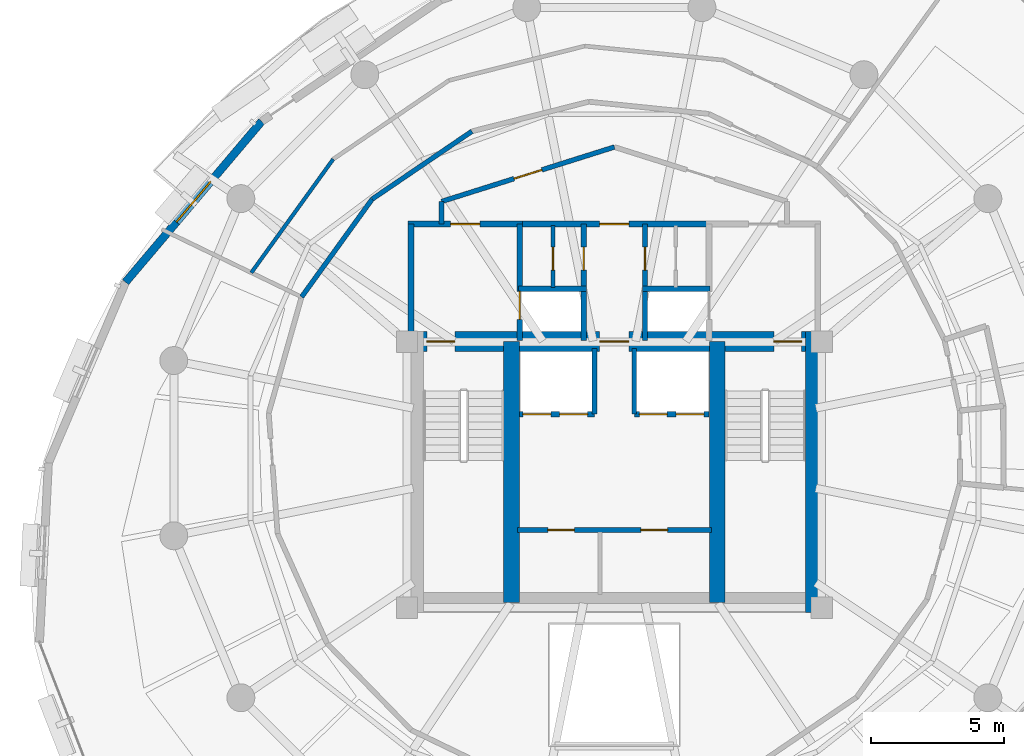
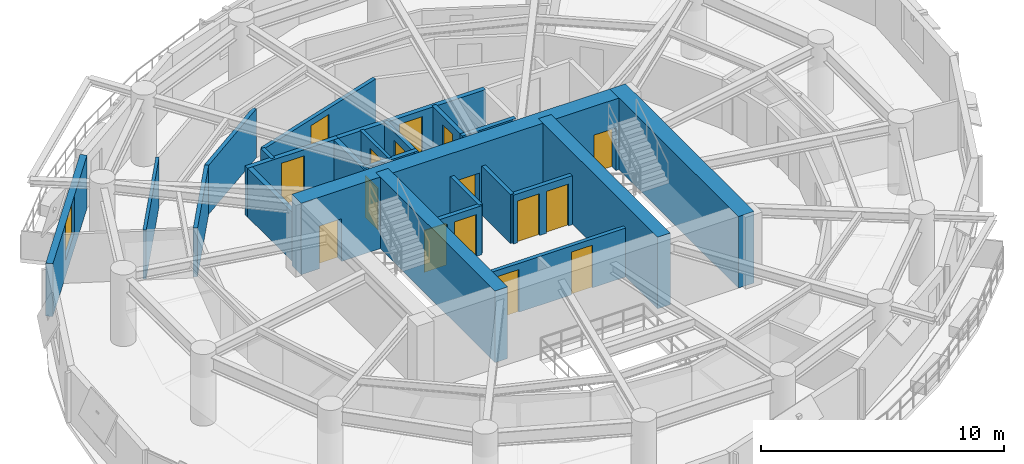
# One storey, part 8 of 12: 24 walls, 16 doors, 1 window, 17 openings.
"""IFC4 building model written with IfcOpenShell, lengths in metres."""

from ifc_helpers import new_model, si_unit, direction, frame, frame_2d, origin, place, context, subcontext, project, spatial, rectangle, extrude, material, layer, layer_set, type_object, element, fill, save


model = new_model("IFC4")

# Units and contexts
model_context = context("Model", 3, precision=1e-05, world=origin(), true_north=direction((0.0, 1.0)))
body_context = subcontext(model_context, "Body", "Model", "MODEL_VIEW")
ifc_project = project(units=[si_unit("LENGTHUNIT", "METRE"), si_unit("AREAUNIT", "SQUARE_METRE"), si_unit("VOLUMEUNIT", "CUBIC_METRE"), si_unit("PLANEANGLEUNIT", "RADIAN"), si_unit("MASSUNIT", "GRAM", prefix="KILO"), si_unit("THERMODYNAMICTEMPERATUREUNIT", "KELVIN"), si_unit("POWERUNIT", "WATT")], contexts=[model_context])

# Site, building, storey
site_placement = place(None, origin())
site = spatial("IfcSite", under=ifc_project, at=site_placement, CompositionType="ELEMENT")
building_placement = place(site_placement, origin())
building = spatial("IfcBuilding", under=site, at=building_placement, Name="Ocrelia Relay Tower", CompositionType="ELEMENT")
storey_placement = place(building_placement, frame((0.0, 0.0, 177.199951171875)))
storey = spatial("IfcBuildingStorey", under=building, at=storey_placement, Name="L42", CompositionType="ELEMENT", Elevation=177.199951171875)

# Wall, openings, doors
ifc_material_1 = material(Name="Concrete C60/75", Category="concrete")
ifc_layer_1 = layer(ifc_material_1, 0.75, Name="Concrete C60/75")
ifc_layer_set_1 = layer_set([ifc_layer_1], Name="Concrete C60/75")
wall_type_1 = type_object("IfcWallType", Name="CW-CORE-750", PredefinedType="SHEAR", material=ifc_layer_set_1)
wall_1_placement = place(storey_placement, frame((26.072021484375, 30.012939453125, 0.0), z_axis=(0.0, 0.0, 1.0), x_axis=(1.0, 0.0, 0.0)))
wall_1 = element("IfcWall", 1, at=wall_1_placement, inside=storey, type_object=wall_type_1, Name="L42 Core Shear Wall N", PredefinedType="SHEAR", context=body_context, shape_type="SweptSolid", body=[
    extrude(rectangle(XDim=15.865966796875, YDim=0.75, at=frame_2d((7.93310546875, 0.0))), origin(), (0.0, 0.0, 1.0), 3.60009765625),
])
opening_1_placement = place(wall_1_placement, frame((0.8779296875, 0.0, 0.0)))
opening_1 = element("IfcOpeningElement", 2, at=opening_1_placement, cuts=wall_1, Name="Opening D-FD90", PredefinedType="OPENING", context=body_context, shape_type="SweptSolid", body=[
    extrude(rectangle(XDim=1.050048828125, YDim=2.14990234375, at=frame_2d((0.52490234375, 1.074951171875))), frame((0.0, 0.385009765625, 0.0), z_axis=(0.0, -1.0, 0.0), x_axis=(1.0, 0.0, 0.0)), (0.0, 0.0, 1.0), 0.77001953125),
])
opening_2_placement = place(wall_1_placement, frame((13.927978515625, 0.0, 0.0)))
opening_2 = element("IfcOpeningElement", 3, at=opening_2_placement, cuts=wall_1, Name="Opening D-FD90", PredefinedType="OPENING", context=body_context, shape_type="SweptSolid", body=[
    extrude(rectangle(XDim=1.050048828125, YDim=2.14990234375, at=frame_2d((0.52490234375, 1.074951171875))), frame((0.0, 0.385009765625, 0.0), z_axis=(0.0, -1.0, 0.0), x_axis=(1.0, 0.0, 0.0)), (0.0, 0.0, 1.0), 0.77001953125),
])
opening_3_placement = place(wall_1_placement, frame((7.3779296875, 0.0, 0.0)))
opening_3 = element("IfcOpeningElement", 4, at=opening_3_placement, cuts=wall_1, Name="Opening D-FD60", PredefinedType="OPENING", context=body_context, shape_type="SweptSolid", body=[
    extrude(rectangle(XDim=1.10009765625, YDim=2.14990234375, at=frame_2d((0.550048828125, 1.074951171875))), frame((0.0, 0.385009765625, 0.0), z_axis=(0.0, -1.0, 0.0), x_axis=(1.0, 0.0, 0.0)), (0.0, 0.0, 1.0), 0.77001953125),
])
ifc_material_2 = material(Name="Timber-core 60-min acoustic fire door", Category="wood")
door_type_1 = type_object("IfcDoorType", Name="DR-LOBBY-FD60-1100", OperationType="NOTDEFINED", PredefinedType="DOOR", material=ifc_material_2)
door_1_placement = place(opening_3_placement, origin())
door_1 = element("IfcDoor", 5, at=door_1_placement, inside=storey, type_object=door_type_1, Name="L42 Core Lift Lobby North Fire Door", OperationType="SINGLE_SWING_LEFT", OverallHeight=2.14990234375, OverallWidth=1.10009765625, PredefinedType="DOOR", context=body_context, shape_type="SweptSolid", body=[
    extrude(rectangle(XDim=1.10009765625, YDim=2.14990234375, at=frame_2d((0.550048828125, 1.074951171875))), frame((0.0, 0.02490234375, 0.0), z_axis=(0.0, -1.0, 0.0), x_axis=(1.0, 0.0, 0.0)), (0.0, 0.0, 1.0), 0.050048828125),
])
fill(opening_3, door_1)
ifc_material_3 = material(Name="Steel S355 90-min fire door", Category="steel")
door_type_2 = type_object("IfcDoorType", Name="DR-STAIR-FD90-1050", OperationType="NOTDEFINED", PredefinedType="DOOR", material=ifc_material_3)
door_2_placement = place(opening_1_placement, origin())
door_2 = element("IfcDoor", 6, at=door_2_placement, inside=storey, type_object=door_type_2, Name="L42 Stair ST1 Fire Door", OperationType="SINGLE_SWING_LEFT", OverallHeight=2.14990234375, OverallWidth=1.050048828125, PredefinedType="DOOR", context=body_context, shape_type="SweptSolid", body=[
    extrude(rectangle(XDim=1.050048828125, YDim=2.14990234375, at=frame_2d((0.52490234375, 1.074951171875))), frame((0.0, 0.02490234375, 0.0), z_axis=(0.0, -1.0, 0.0), x_axis=(1.0, 0.0, 0.0)), (0.0, 0.0, 1.0), 0.050048828125),
])
fill(opening_1, door_2)
door_3_placement = place(opening_2_placement, origin())
door_3 = element("IfcDoor", 7, at=door_3_placement, inside=storey, type_object=door_type_2, Name="L42 Stair ST2 Fire Door", OperationType="SINGLE_SWING_RIGHT", OverallHeight=2.14990234375, OverallWidth=1.050048828125, PredefinedType="DOOR", context=body_context, shape_type="SweptSolid", body=[
    extrude(rectangle(XDim=1.050048828125, YDim=2.14990234375, at=frame_2d((0.52490234375, 1.074951171875))), frame((0.0, 0.02490234375, 0.0), z_axis=(0.0, -1.0, 0.0), x_axis=(1.0, 0.0, 0.0)), (0.0, 0.0, 1.0), 0.050048828125),
])
fill(opening_2, door_3)

# Walls
wall_2_placement = place(storey_placement, frame((41.56298828125, 19.81201171875, 0.0), z_axis=(0.0, 0.0, 1.0), x_axis=(0.0, 1.0, 0.0)))
element("IfcWall", 8, at=wall_2_placement, inside=storey, type_object=wall_type_1, Name="L42 Core Shear Wall E", PredefinedType="SHEAR", context=body_context, shape_type="SweptSolid", body=[
    extrude(rectangle(XDim=10.575927734375, YDim=0.75, at=frame_2d((5.2880859375, 0.0))), origin(), (0.0, 0.0, 1.0), 3.60009765625),
])
for number, where, z_axis, x_axis, name in (
    (9, (30.137939453125, 20.18701171875, 0.0), (0.0, 0.0, 1.0), (0.0, 1.0, 0.0), "L42 Core Shear Wall SPW"),
    (10, (37.8720703125, 20.18701171875, 0.0), (0.0, 0.0, 1.0), (0.0, 1.0, 0.0), "L42 Core Shear Wall SPE"),
):
    element("IfcWall", number, at=place(storey_placement, frame(where, z_axis=z_axis, x_axis=x_axis)), inside=storey, type_object=wall_type_1, Name=name, PredefinedType="SHEAR", context=body_context, shape_type="SweptSolid", body=[
        extrude(rectangle(XDim=9.825927734375, YDim=0.60009765625, at=frame_2d((4.9130859375, 0.0))), origin(), (0.0, 0.0, 1.0), 3.60009765625),
    ])

# Wall, openings, doors
ifc_material_4 = material(Name="Gypsum Fireboard Partition EI60", Category="gypsum")
ifc_layer_2 = layer(ifc_material_4, 0.179931640625, Name="Gypsum Fireboard Partition EI60")
ifc_layer_set_2 = layer_set([ifc_layer_2], Name="Gypsum Fireboard Partition EI60")
wall_type_2 = type_object("IfcWallType", Name="W-CORR-EI60-180", PredefinedType="PARTITIONING", material=ifc_layer_set_2)
wall_3_placement = place(storey_placement, frame((30.35009765625, 22.919921875, 0.0), z_axis=(0.0, 0.0, 1.0), x_axis=(1.0, 0.0, 0.0)))
wall_3 = element("IfcWall", 11, at=wall_3_placement, inside=storey, type_object=wall_type_2, Name="L42 Reclaimed Core Room Partition", PredefinedType="PARTITIONING", context=body_context, shape_type="SweptSolid", body=[
    extrude(rectangle(XDim=7.2998046875, YDim=0.179931640625, at=frame_2d((3.64990234375, 0.0))), origin(), (0.0, 0.0, 1.0), 2.4599609375),
])
opening_4_placement = place(wall_3_placement, frame((1.14990234375, 0.0, 0.0)))
opening_4 = element("IfcOpeningElement", 12, at=opening_4_placement, cuts=wall_3, Name="Opening D-RM100", PredefinedType="OPENING", context=body_context, shape_type="SweptSolid", body=[
    extrude(rectangle(XDim=1.0, YDim=2.14990234375, at=frame_2d((0.5, 1.074951171875))), frame((0.0, 0.10009765625, 0.0), z_axis=(0.0, -1.0, 0.0), x_axis=(1.0, 0.0, 0.0)), (0.0, 0.0, 1.0), 0.199951171875),
])
opening_5_placement = place(wall_3_placement, frame((4.64990234375, 0.0, 0.0)))
opening_5 = element("IfcOpeningElement", 13, at=opening_5_placement, cuts=wall_3, Name="Opening D-RM100", PredefinedType="OPENING", context=body_context, shape_type="SweptSolid", body=[
    extrude(rectangle(XDim=1.0, YDim=2.14990234375, at=frame_2d((0.5, 1.074951171875))), frame((0.0, 0.10009765625, 0.0), z_axis=(0.0, -1.0, 0.0), x_axis=(1.0, 0.0, 0.0)), (0.0, 0.0, 1.0), 0.199951171875),
])
ifc_material_5 = material(Name="Acoustic oak veneer fire door", Category="wood")
door_type_3 = type_object("IfcDoorType", Name="DR-ROOM-FD60-1000", OperationType="NOTDEFINED", PredefinedType="DOOR", material=ifc_material_5)
door_4_placement = place(opening_4_placement, origin())
door_4 = element("IfcDoor", 14, at=door_4_placement, inside=storey, type_object=door_type_3, Name="L42 Reclaimed Core Room 1 Door", OperationType="SINGLE_SWING_LEFT", OverallHeight=2.14990234375, OverallWidth=1.0, PredefinedType="DOOR", context=body_context, shape_type="SweptSolid", body=[
    extrude(rectangle(XDim=1.0, YDim=2.14990234375, at=frame_2d((0.5, 1.074951171875))), frame((0.0, 0.02490234375, 0.0), z_axis=(0.0, -1.0, 0.0), x_axis=(1.0, 0.0, 0.0)), (0.0, 0.0, 1.0), 0.050048828125),
])
fill(opening_4, door_4)
door_5_placement = place(opening_5_placement, origin())
door_5 = element("IfcDoor", 15, at=door_5_placement, inside=storey, type_object=door_type_3, Name="L42 Reclaimed Core Room 2 Door", OperationType="SINGLE_SWING_RIGHT", OverallHeight=2.14990234375, OverallWidth=1.0, PredefinedType="DOOR", context=body_context, shape_type="SweptSolid", body=[
    extrude(rectangle(XDim=1.0, YDim=2.14990234375, at=frame_2d((0.5, 1.074951171875))), frame((0.0, 0.02490234375, 0.0), z_axis=(0.0, -1.0, 0.0), x_axis=(1.0, 0.0, 0.0)), (0.0, 0.0, 1.0), 0.050048828125),
])
fill(opening_5, door_5)

# Wall
wall_4_placement = place(storey_placement, frame((27.5, 34.429931640625, 0.0), z_axis=(0.0, 0.0, 1.0), x_axis=(0.0, 1.0, 0.0)))
element("IfcWall", 16, at=wall_4_placement, inside=storey, type_object=wall_type_2, Name="L42 Smoke Lobby West Return", PredefinedType="PARTITIONING", context=body_context, shape_type="SweptSolid", body=[
    extrude(rectangle(XDim=0.85009765625, YDim=0.179931640625, at=frame_2d((0.425048828125, 0.0))), origin(), (0.0, 0.0, 1.0), 2.4599609375),
])

# Wall, opening, door
wall_5_placement = place(storey_placement, frame((27.5, 35.280029296875, 0.0), z_axis=(0.0, 0.0, 1.0), x_axis=(0.953691418528, 0.300786765376, 0.0)))
wall_5 = element("IfcWall", 17, at=wall_5_placement, inside=storey, type_object=wall_type_2, Name="L42 North Smoke Lobby W Screen Wall", PredefinedType="PARTITIONING", context=body_context, shape_type="SweptSolid", body=[
    extrude(rectangle(XDim=6.815673828125, YDim=0.179931640625, at=frame_2d((3.40771484375, 0.0))), origin(), (0.0, 0.0, 1.0), 2.4599609375),
])
opening_6_placement = place(wall_5_placement, frame((2.85791015625, 0.0, 0.0)))
opening_6 = element("IfcOpeningElement", 18, at=opening_6_placement, cuts=wall_5, Name="Opening D-FD60", PredefinedType="OPENING", context=body_context, shape_type="SweptSolid", body=[
    extrude(rectangle(XDim=1.10009765625, YDim=2.14990234375, at=frame_2d((0.550048828125, 1.074951171875))), frame((0.0, 0.10009765625, 0.0), z_axis=(0.0, -1.0, 0.0), x_axis=(1.0, 0.0, 0.0)), (0.0, 0.0, 1.0), 0.199951171875),
])
door_6_placement = place(opening_6_placement, origin())
door_6 = element("IfcDoor", 19, at=door_6_placement, inside=storey, type_object=door_type_1, Name="L42 North Smoke Lobby W Fire Door", OperationType="SINGLE_SWING_LEFT", OverallHeight=2.14990234375, OverallWidth=1.10009765625, PredefinedType="DOOR", context=body_context, shape_type="SweptSolid", body=[
    extrude(rectangle(XDim=1.10009765625, YDim=2.14990234375, at=frame_2d((0.550048828125, 1.074951171875))), frame((0.0, 0.02490234375, 0.0), z_axis=(0.0, -1.0, 0.0), x_axis=(1.0, 0.0, 0.0)), (0.0, 0.0, 1.0), 0.050048828125),
])
fill(opening_6, door_6)

# Walls
wall_6_placement = place(storey_placement, frame((28.642333984375, 37.92138671875, 0.0), z_axis=(0.0, 0.0, 1.0), x_axis=(-0.82708553546, -0.56207607762, 0.0)))
element("IfcWall", 20, at=wall_6_placement, inside=storey, type_object=wall_type_2, Name="L42 Cybersecurity Conference Room Corridor Partition 4", PredefinedType="PARTITIONING", context=body_context, shape_type="SweptSolid", body=[
    extrude(rectangle(XDim=4.5390625, YDim=0.179931640625, at=frame_2d((2.26953125, 0.0))), origin(), (0.0, 0.0, 1.0), 2.4599609375),
])
wall_7_placement = place(storey_placement, frame((24.88818359375, 35.3701171875, 0.0), z_axis=(0.0, 0.0, 1.0), x_axis=(-0.584956294623, -0.811064814538, 0.0)))
element("IfcWall", 21, at=wall_7_placement, inside=storey, type_object=wall_type_2, Name="L42 Cybersecurity Conference Room Corridor Partition 5", PredefinedType="PARTITIONING", context=body_context, shape_type="SweptSolid", body=[
    extrude(rectangle(XDim=4.539306640625, YDim=0.179931640625, at=frame_2d((2.26953125, 0.0))), origin(), (0.0, 0.0, 1.0), 2.4599609375),
])

# Wall, opening, window
ifc_material_6 = material(Name="Precast concrete C40/50 with oxide terracotta", Category="masonry")
ifc_layer_3 = layer(ifc_material_6, 0.300048828125, Name="Precast concrete C40/50 with oxide terracotta")
ifc_layer_set_3 = layer_set([ifc_layer_3], Name="Precast concrete C40/50 with oxide terracotta")
wall_type_3 = type_object("IfcWallType", Name="W-EXT-TERR-300", PredefinedType="SOLIDWALL", material=ifc_layer_set_3)
wall_8_placement = place(storey_placement, frame((20.730712890625, 38.2958984375, 0.0), z_axis=(0.0, 0.0, 1.0), x_axis=(-0.645997464581, -0.763339554691, 0.0)))
wall_8 = element("IfcWall", 22, at=wall_8_placement, inside=storey, type_object=wall_type_3, Name="L42 Oxide Terracotta Facade Wall 06", PredefinedType="SOLIDWALL", context=body_context, shape_type="SweptSolid", body=[
    extrude(rectangle(XDim=7.927001953125, YDim=0.300048828125, at=frame_2d((3.96337890625, 0.0))), origin(), (0.0, 0.0, 1.0), 2.66015625),
])
opening_7_placement = place(wall_8_placement, frame((2.964111328125, 0.0, 0.800048828125)))
opening_7 = element("IfcOpeningElement", 23, at=opening_7_placement, cuts=wall_8, Name="Opening W-03", PredefinedType="OPENING", context=body_context, shape_type="SweptSolid", body=[
    extrude(rectangle(XDim=2.0, YDim=1.85009765625, at=frame_2d((1.0, 0.925048828125))), frame((0.0, 0.16015625, 0.0), z_axis=(0.0, -1.0, 0.0), x_axis=(1.0, 0.0, 0.0)), (0.0, 0.0, 1.0), 0.320068359375),
])
ifc_material_7 = material(Name="Clear double-glazed low-E glass", Category="glass")
window_type = type_object("IfcWindowType", Name="WIN-Z3-2000x2200", PartitioningType="DOUBLE_PANEL_VERTICAL", PredefinedType="WINDOW", material=ifc_material_7)
window_placement = place(opening_7_placement, origin())
window = element("IfcWindow", 24, at=window_placement, inside=storey, type_object=window_type, Name="L42 Facade Module Window 06", OverallHeight=1.85009765625, OverallWidth=2.0, PartitioningType="SINGLE_PANEL", PredefinedType="WINDOW", context=body_context, shape_type="SweptSolid", body=[
    extrude(rectangle(XDim=2.0, YDim=1.85009765625, at=frame_2d((1.0, 0.925048828125))), frame((0.0, 0.030029296875, 0.0), z_axis=(0.0, -1.0, 0.0), x_axis=(1.0, 0.0, 0.0)), (0.0, 0.0, 1.0), 0.06005859375),
])
fill(opening_7, window)

# Wall
ifc_material_8 = material(Name="Concrete C50/60", Category="concrete")
ifc_layer_4 = layer(ifc_material_8, 0.219970703125, Name="Concrete C50/60")
ifc_layer_set_4 = layer_set([ifc_layer_4], Name="Concrete C50/60")
wall_type_4 = type_object("IfcWallType", Name="W-FFL-EI120-220", PredefinedType="SOLIDWALL", material=ifc_layer_set_4)
wall_9_placement = place(storey_placement, frame((26.35009765625, 30.050048828125, 0.0), z_axis=(0.0, 0.0, 1.0), x_axis=(0.0, 1.0, 0.0)))
element("IfcWall", 25, at=wall_9_placement, inside=storey, type_object=wall_type_4, Name="L42 W Fire Service Lift Lobby West Wall", PredefinedType="SOLIDWALL", context=body_context, shape_type="SweptSolid", body=[
    extrude(rectangle(XDim=4.3798828125, YDim=0.219970703125, at=frame_2d((2.18994140625, 0.0))), origin(), (0.0, 0.0, 1.0), 2.4599609375),
])

# Wall, opening, door
wall_10_placement = place(storey_placement, frame((30.43994140625, 30.050048828125, 0.0), z_axis=(0.0, 0.0, 1.0), x_axis=(0.0, 1.0, 0.0)))
wall_10 = element("IfcWall", 26, at=wall_10_placement, inside=storey, type_object=wall_type_4, Name="L42 W Fire Service Lift Lobby East Wall", PredefinedType="SOLIDWALL", context=body_context, shape_type="SweptSolid", body=[
    extrude(rectangle(XDim=4.3798828125, YDim=0.219970703125, at=frame_2d((2.18994140625, 0.0))), origin(), (0.0, 0.0, 1.0), 2.4599609375),
])
opening_8_placement = place(wall_10_placement, frame((0.800048828125, 0.0, 0.0)))
opening_8 = element("IfcOpeningElement", 27, at=opening_8_placement, cuts=wall_10, Name="Opening LD-FFL1", PredefinedType="OPENING", context=body_context, shape_type="SweptSolid", body=[
    extrude(rectangle(XDim=1.050048828125, YDim=2.10009765625, at=frame_2d((0.52490234375, 1.050048828125))), frame((0.0, 0.1201171875, 0.0), z_axis=(0.0, -1.0, 0.0), x_axis=(1.0, 0.0, 0.0)), (0.0, 0.0, 1.0), 0.239990234375),
])
ifc_material_9 = material(Name="Brushed stainless steel S355 lift landing door", Category="steel")
door_type_4 = type_object("IfcDoorType", Name="DR-LIFT-LAND-1050", OperationType="DOUBLE_DOOR_SLIDING", PredefinedType="USERDEFINED", material=ifc_material_9)
door_7_placement = place(opening_8_placement, origin())
door_7 = element("IfcDoor", 28, at=door_7_placement, inside=storey, type_object=door_type_4, Name="L42 Firefighting Lift FFL1 Sliding Landing Door", ObjectType="LANDING DOOR", OperationType="DOUBLE_DOOR_SLIDING", OverallHeight=2.10009765625, OverallWidth=1.050048828125, PredefinedType="USERDEFINED", context=body_context, shape_type="SweptSolid", body=[
    extrude(rectangle(XDim=1.050048828125, YDim=2.10009765625, at=frame_2d((0.52490234375, 1.050048828125))), frame((0.0, 0.02490234375, 0.0), z_axis=(0.0, -1.0, 0.0), x_axis=(1.0, 0.0, 0.0)), (0.0, 0.0, 1.0), 0.050048828125),
])
fill(opening_8, door_7)

wall_11_placement = place(storey_placement, frame((26.239990234375, 34.429931640625, 0.0), z_axis=(0.0, 0.0, 1.0), x_axis=(1.0, 0.0, 0.0)))
wall_11 = element("IfcWall", 29, at=wall_11_placement, inside=storey, type_object=wall_type_4, Name="L42 W Fire Service Lift Lobby North Wall", PredefinedType="SOLIDWALL", context=body_context, shape_type="SweptSolid", body=[
    extrude(rectangle(XDim=4.31005859375, YDim=0.219970703125, at=frame_2d((2.155029296875, 0.0))), origin(), (0.0, 0.0, 1.0), 2.4599609375),
])
opening_9_placement = place(wall_11_placement, frame((1.60009765625, 0.0, 0.0)))
opening_9 = element("IfcOpeningElement", 30, at=opening_9_placement, cuts=wall_11, Name="Opening D-FD60", PredefinedType="OPENING", context=body_context, shape_type="SweptSolid", body=[
    extrude(rectangle(XDim=1.10009765625, YDim=2.14990234375, at=frame_2d((0.550048828125, 1.074951171875))), frame((0.0, 0.1201171875, 0.0), z_axis=(0.0, -1.0, 0.0), x_axis=(1.0, 0.0, 0.0)), (0.0, 0.0, 1.0), 0.239990234375),
])
door_8_placement = place(opening_9_placement, origin())
door_8 = element("IfcDoor", 31, at=door_8_placement, inside=storey, type_object=door_type_1, Name="L42 W Fire Service Lift Lobby Exit Door", OperationType="SINGLE_SWING_RIGHT", OverallHeight=2.14990234375, OverallWidth=1.10009765625, PredefinedType="DOOR", context=body_context, shape_type="SweptSolid", body=[
    extrude(rectangle(XDim=1.10009765625, YDim=2.14990234375, at=frame_2d((0.550048828125, 1.074951171875))), frame((0.0, 0.02490234375, 0.0), z_axis=(0.0, -1.0, 0.0), x_axis=(1.0, 0.0, 0.0)), (0.0, 0.0, 1.0), 0.050048828125),
])
fill(opening_9, door_8)

wall_12_placement = place(storey_placement, frame((30.43994140625, 34.429931640625, 0.0), z_axis=(0.0, 0.0, 1.0), x_axis=(1.0, 0.0, 0.0)))
wall_12 = element("IfcWall", 32, at=wall_12_placement, inside=storey, type_object=wall_type_4, Name="L42 North Core Vestibule Wall", PredefinedType="SOLIDWALL", context=body_context, shape_type="SweptSolid", body=[
    extrude(rectangle(XDim=7.1201171875, YDim=0.219970703125, at=frame_2d((3.56005859375, 0.0))), origin(), (0.0, 0.0, 1.0), 2.4599609375),
])
opening_10_placement = place(wall_12_placement, frame((3.010009765625, 0.0, 0.0)))
opening_10 = element("IfcOpeningElement", 33, at=opening_10_placement, cuts=wall_12, Name="Opening D-FD60", PredefinedType="OPENING", context=body_context, shape_type="SweptSolid", body=[
    extrude(rectangle(XDim=1.10009765625, YDim=2.14990234375, at=frame_2d((0.550048828125, 1.074951171875))), frame((0.0, 0.1201171875, 0.0), z_axis=(0.0, -1.0, 0.0), x_axis=(1.0, 0.0, 0.0)), (0.0, 0.0, 1.0), 0.239990234375),
])
door_9_placement = place(opening_10_placement, origin())
door_9 = element("IfcDoor", 34, at=door_9_placement, inside=storey, type_object=door_type_1, Name="L42 North Core Vestibule Corridor Door", OperationType="SINGLE_SWING_RIGHT", OverallHeight=2.14990234375, OverallWidth=1.10009765625, PredefinedType="DOOR", context=body_context, shape_type="SweptSolid", body=[
    extrude(rectangle(XDim=1.10009765625, YDim=2.14990234375, at=frame_2d((0.550048828125, 1.074951171875))), frame((0.0, 0.02490234375, 0.0), z_axis=(0.0, -1.0, 0.0), x_axis=(1.0, 0.0, 0.0)), (0.0, 0.0, 1.0), 0.050048828125),
])
fill(opening_10, door_9)

# Wall
ifc_material_10 = material(Name="Acoustic Fireboard Partition EI60", Category="gypsum")
ifc_layer_5 = layer(ifc_material_10, 0.139892578125, Name="Acoustic Fireboard Partition EI60")
ifc_layer_set_5 = layer_set([ifc_layer_5], Name="Acoustic Fireboard Partition EI60")
wall_type_5 = type_object("IfcWallType", Name="W-PART-140", PredefinedType="PARTITIONING", material=ifc_layer_set_5)
wall_13_placement = place(storey_placement, frame((23.424072265625, 36.87548828125, 0.0), z_axis=(0.0, 0.0, 1.0), x_axis=(-0.584962537019, -0.811060312359, 0.0)))
element("IfcWall", 35, at=wall_13_placement, inside=storey, type_object=wall_type_5, Name="L42 Perimeter Cybersecurity Conference Room Mid-Ring Partition 5", PredefinedType="PARTITIONING", context=body_context, shape_type="SweptSolid", body=[
    extrude(rectangle(XDim=5.268310546875, YDim=0.139892578125, at=frame_2d((2.63427734375, 0.0))), origin(), (0.0, 0.0, 1.0), 2.4599609375),
])

# Wall, opening, door
ifc_layer_6 = layer(ifc_material_10, 0.14990234375, Name="Acoustic Fireboard Partition EI60")
ifc_layer_set_6 = layer_set([ifc_layer_6], Name="Acoustic Fireboard Partition EI60")
wall_type_6 = type_object("IfcWallType", Name="W-PART-150", PredefinedType="PARTITIONING", material=ifc_layer_set_6)
wall_14_placement = place(storey_placement, frame((31.68994140625, 32.050048828125, 0.0), z_axis=(0.0, 0.0, 1.0), x_axis=(0.0, 1.0, 0.0)))
wall_14 = element("IfcWall", 36, at=wall_14_placement, inside=storey, type_object=wall_type_6, Name="L42 West Core Support Partition", PredefinedType="PARTITIONING", context=body_context, shape_type="SweptSolid", body=[
    extrude(rectangle(XDim=2.329833984375, YDim=0.14990234375, at=frame_2d((1.1650390625, 0.0))), origin(), (0.0, 0.0, 1.0), 2.4599609375),
])
opening_11_placement = place(wall_14_placement, frame((0.64990234375, 0.0, 0.0)))
opening_11 = element("IfcOpeningElement", 37, at=opening_11_placement, cuts=wall_14, Name="Opening D-RS86", PredefinedType="OPENING", context=body_context, shape_type="SweptSolid", body=[
    extrude(rectangle(XDim=0.860107421875, YDim=2.050048828125, at=frame_2d((0.43017578125, 1.02490234375))), frame((0.0, 0.0849609375, 0.0), z_axis=(0.0, -1.0, 0.0), x_axis=(1.0, 0.0, 0.0)), (0.0, 0.0, 1.0), 0.169921875),
])
ifc_material_11 = material(Name="Steel S355 riser access fire door", Category="steel")
door_type_5 = type_object("IfcDoorType", Name="DR-RISER-TRAP-860", OperationType="NOTDEFINED", PredefinedType="TRAPDOOR", material=ifc_material_11)
door_10_placement = place(opening_11_placement, origin())
door_10 = element("IfcDoor", 38, at=door_10_placement, inside=storey, type_object=door_type_5, Name="L42 West Core Store Connecting Door", OperationType="SINGLE_SWING_LEFT", OverallHeight=2.050048828125, OverallWidth=0.860107421875, PredefinedType="TRAPDOOR", context=body_context, shape_type="SweptSolid", body=[
    extrude(rectangle(XDim=0.860107421875, YDim=2.050048828125, at=frame_2d((0.43017578125, 1.02490234375))), frame((0.0, 0.02490234375, 0.0), z_axis=(0.0, -1.0, 0.0), x_axis=(1.0, 0.0, 0.0)), (0.0, 0.0, 1.0), 0.050048828125),
])
fill(opening_11, door_10)

# Wall
ifc_layer_7 = layer(ifc_material_8, 0.199951171875, Name="Concrete C50/60")
ifc_layer_set_7 = layer_set([ifc_layer_7], Name="Concrete C50/60")
wall_type_7 = type_object("IfcWallType", Name="W-SHAFT-EI120-200", PredefinedType="SOLIDWALL", material=ifc_layer_set_7)
wall_15_placement = place(storey_placement, frame((30.39990234375, 32.0, 0.0), z_axis=(0.0, 0.0, 1.0), x_axis=(1.0, 0.0, 0.0)))
element("IfcWall", 39, at=wall_15_placement, inside=storey, type_object=wall_type_7, Name="L42 FFL1 Hoistway North Wall", PredefinedType="SOLIDWALL", context=body_context, shape_type="SweptSolid", body=[
    extrude(rectangle(XDim=2.550048828125, YDim=0.199951171875, at=frame_2d((1.27490234375, 0.0))), origin(), (0.0, 0.0, 1.0), 2.4599609375),
])

# Wall, opening, door
wall_16_placement = place(storey_placement, frame((32.85009765625, 30.050048828125, 0.0), z_axis=(0.0, 0.0, 1.0), x_axis=(0.0, 1.0, 0.0)))
wall_16 = element("IfcWall", 40, at=wall_16_placement, inside=storey, type_object=wall_type_7, Name="L42 FFL1 and Service Vestibule Wall", PredefinedType="SOLIDWALL", context=body_context, shape_type="SweptSolid", body=[
    extrude(rectangle(XDim=4.3798828125, YDim=0.199951171875, at=frame_2d((2.18994140625, 0.0))), origin(), (0.0, 0.0, 1.0), 2.4599609375),
])
opening_12_placement = place(wall_16_placement, frame((2.64990234375, 0.0, 0.0)))
opening_12 = element("IfcOpeningElement", 41, at=opening_12_placement, cuts=wall_16, Name="Opening D-RS86", PredefinedType="OPENING", context=body_context, shape_type="SweptSolid", body=[
    extrude(rectangle(XDim=0.860107421875, YDim=2.050048828125, at=frame_2d((0.43017578125, 1.02490234375))), frame((0.0, 0.10986328125, 0.0), z_axis=(0.0, -1.0, 0.0), x_axis=(1.0, 0.0, 0.0)), (0.0, 0.0, 1.0), 0.219970703125),
])
door_11_placement = place(opening_12_placement, origin())
door_11 = element("IfcDoor", 42, at=door_11_placement, inside=storey, type_object=door_type_5, Name="L42 Core Support Room W Door", OperationType="SINGLE_SWING_LEFT", OverallHeight=2.050048828125, OverallWidth=0.860107421875, PredefinedType="TRAPDOOR", context=body_context, shape_type="SweptSolid", body=[
    extrude(rectangle(XDim=0.860107421875, YDim=2.050048828125, at=frame_2d((0.43017578125, 1.02490234375))), frame((0.0, 0.02490234375, 0.0), z_axis=(0.0, -1.0, 0.0), x_axis=(1.0, 0.0, 0.0)), (0.0, 0.0, 1.0), 0.050048828125),
])
fill(opening_12, door_11)

# Wall
wall_17_placement = place(storey_placement, frame((35.050048828125, 32.0, 0.0), z_axis=(0.0, 0.0, 1.0), x_axis=(1.0, 0.0, 0.0)))
element("IfcWall", 43, at=wall_17_placement, inside=storey, type_object=wall_type_7, Name="L42 FFL2 Hoistway North Wall", PredefinedType="SOLIDWALL", context=body_context, shape_type="SweptSolid", body=[
    extrude(rectangle(XDim=2.550048828125, YDim=0.199951171875, at=frame_2d((1.27490234375, 0.0))), origin(), (0.0, 0.0, 1.0), 2.4599609375),
])

# Wall, opening, door
wall_18_placement = place(storey_placement, frame((35.14990234375, 30.050048828125, 0.0), z_axis=(0.0, 0.0, 1.0), x_axis=(0.0, 1.0, 0.0)))
wall_18 = element("IfcWall", 44, at=wall_18_placement, inside=storey, type_object=wall_type_7, Name="L42 FFL2 and Service Vestibule Wall", PredefinedType="SOLIDWALL", context=body_context, shape_type="SweptSolid", body=[
    extrude(rectangle(XDim=4.3798828125, YDim=0.199951171875, at=frame_2d((2.18994140625, 0.0))), origin(), (0.0, 0.0, 1.0), 2.4599609375),
])
opening_13_placement = place(wall_18_placement, frame((2.64990234375, 0.0, 0.0)))
opening_13 = element("IfcOpeningElement", 45, at=opening_13_placement, cuts=wall_18, Name="Opening D-RS86", PredefinedType="OPENING", context=body_context, shape_type="SweptSolid", body=[
    extrude(rectangle(XDim=0.860107421875, YDim=2.050048828125, at=frame_2d((0.43017578125, 1.02490234375))), frame((0.0, 0.10986328125, 0.0), z_axis=(0.0, -1.0, 0.0), x_axis=(1.0, 0.0, 0.0)), (0.0, 0.0, 1.0), 0.219970703125),
])
door_12_placement = place(opening_13_placement, origin())
door_12 = element("IfcDoor", 46, at=door_12_placement, inside=storey, type_object=door_type_5, Name="L42 Core Support Room E Door", OperationType="SINGLE_SWING_LEFT", OverallHeight=2.050048828125, OverallWidth=0.860107421875, PredefinedType="TRAPDOOR", context=body_context, shape_type="SweptSolid", body=[
    extrude(rectangle(XDim=0.860107421875, YDim=2.050048828125, at=frame_2d((0.43017578125, 1.02490234375))), frame((0.0, 0.02490234375, 0.0), z_axis=(0.0, -1.0, 0.0), x_axis=(1.0, 0.0, 0.0)), (0.0, 0.0, 1.0), 0.050048828125),
])
fill(opening_13, door_12)

# Wall, openings, doors
wall_19_placement = place(storey_placement, frame((30.43994140625, 27.280029296875, 0.0), z_axis=(0.0, 0.0, 1.0), x_axis=(1.0, 0.0, 0.0)))
wall_19 = element("IfcWall", 47, at=wall_19_placement, inside=storey, type_object=wall_type_7, Name="L42 High-Rise Lift Hoistway Wall W", PredefinedType="SOLIDWALL", context=body_context, shape_type="SweptSolid", body=[
    extrude(rectangle(XDim=2.81005859375, YDim=0.199951171875, at=frame_2d((1.405029296875, 0.0))), origin(), (0.0, 0.0, 1.0), 2.4599609375),
])
opening_14_placement = place(wall_19_placement, frame((0.1201171875, 0.0, 0.0)))
opening_14 = element("IfcOpeningElement", 48, at=opening_14_placement, cuts=wall_19, Name="Opening LD-PL5", PredefinedType="OPENING", context=body_context, shape_type="SweptSolid", body=[
    extrude(rectangle(XDim=1.050048828125, YDim=2.10009765625, at=frame_2d((0.52490234375, 1.050048828125))), frame((0.0, 0.10986328125, 0.0), z_axis=(0.0, -1.0, 0.0), x_axis=(1.0, 0.0, 0.0)), (0.0, 0.0, 1.0), 0.219970703125),
])
opening_15_placement = place(wall_19_placement, frame((1.5, 0.0, 0.0)))
opening_15 = element("IfcOpeningElement", 49, at=opening_15_placement, cuts=wall_19, Name="Opening LD-PL6", PredefinedType="OPENING", context=body_context, shape_type="SweptSolid", body=[
    extrude(rectangle(XDim=1.050048828125, YDim=2.10009765625, at=frame_2d((0.52490234375, 1.050048828125))), frame((0.0, 0.10986328125, 0.0), z_axis=(0.0, -1.0, 0.0), x_axis=(1.0, 0.0, 0.0)), (0.0, 0.0, 1.0), 0.219970703125),
])
door_13_placement = place(opening_14_placement, origin())
door_13 = element("IfcDoor", 50, at=door_13_placement, inside=storey, type_object=door_type_4, Name="L42 High-Rise Lift PL5 Sliding Landing Door", ObjectType="LANDING DOOR", OperationType="DOUBLE_DOOR_SLIDING", OverallHeight=2.10009765625, OverallWidth=1.050048828125, PredefinedType="USERDEFINED", context=body_context, shape_type="SweptSolid", body=[
    extrude(rectangle(XDim=1.050048828125, YDim=2.10009765625, at=frame_2d((0.52490234375, 1.050048828125))), frame((0.0, 0.02490234375, 0.0), z_axis=(0.0, -1.0, 0.0), x_axis=(1.0, 0.0, 0.0)), (0.0, 0.0, 1.0), 0.050048828125),
])
fill(opening_14, door_13)
door_14_placement = place(opening_15_placement, origin())
door_14 = element("IfcDoor", 51, at=door_14_placement, inside=storey, type_object=door_type_4, Name="L42 High-Rise Lift PL6 Sliding Landing Door", ObjectType="LANDING DOOR", OperationType="DOUBLE_DOOR_SLIDING", OverallHeight=2.10009765625, OverallWidth=1.050048828125, PredefinedType="USERDEFINED", context=body_context, shape_type="SweptSolid", body=[
    extrude(rectangle(XDim=1.050048828125, YDim=2.10009765625, at=frame_2d((0.52490234375, 1.050048828125))), frame((0.0, 0.02490234375, 0.0), z_axis=(0.0, -1.0, 0.0), x_axis=(1.0, 0.0, 0.0)), (0.0, 0.0, 1.0), 0.050048828125),
])
fill(opening_15, door_14)

# Wall
wall_20_placement = place(storey_placement, frame((33.25, 27.280029296875, 0.0), z_axis=(0.0, 0.0, 1.0), x_axis=(0.0, 1.0, 0.0)))
element("IfcWall", 52, at=wall_20_placement, inside=storey, type_object=wall_type_7, Name="L42 High-Rise Lift Throat Wall W", PredefinedType="SOLIDWALL", context=body_context, shape_type="SweptSolid", body=[
    extrude(rectangle(XDim=2.469970703125, YDim=0.179931640625, at=frame_2d((1.23486328125, 0.0))), origin(), (0.0, 0.0, 1.0), 2.4599609375),
])

# Wall, openings, doors
wall_21_placement = place(storey_placement, frame((34.75, 27.280029296875, 0.0), z_axis=(0.0, 0.0, 1.0), x_axis=(1.0, 0.0, 0.0)))
wall_21 = element("IfcWall", 53, at=wall_21_placement, inside=storey, type_object=wall_type_7, Name="L42 High-Rise Lift Hoistway Wall E", PredefinedType="SOLIDWALL", context=body_context, shape_type="SweptSolid", body=[
    extrude(rectangle(XDim=2.81005859375, YDim=0.199951171875, at=frame_2d((1.405029296875, 0.0))), origin(), (0.0, 0.0, 1.0), 2.4599609375),
])
opening_16_placement = place(wall_21_placement, frame((0.18994140625, 0.0, 0.0)))
opening_16 = element("IfcOpeningElement", 54, at=opening_16_placement, cuts=wall_21, Name="Opening LD-PL7", PredefinedType="OPENING", context=body_context, shape_type="SweptSolid", body=[
    extrude(rectangle(XDim=1.050048828125, YDim=2.10009765625, at=frame_2d((0.52490234375, 1.050048828125))), frame((0.0, 0.10986328125, 0.0), z_axis=(0.0, -1.0, 0.0), x_axis=(1.0, 0.0, 0.0)), (0.0, 0.0, 1.0), 0.219970703125),
])
opening_17_placement = place(wall_21_placement, frame((1.570068359375, 0.0, 0.0)))
opening_17 = element("IfcOpeningElement", 55, at=opening_17_placement, cuts=wall_21, Name="Opening LD-PL8", PredefinedType="OPENING", context=body_context, shape_type="SweptSolid", body=[
    extrude(rectangle(XDim=1.050048828125, YDim=2.10009765625, at=frame_2d((0.52490234375, 1.050048828125))), frame((0.0, 0.10986328125, 0.0), z_axis=(0.0, -1.0, 0.0), x_axis=(1.0, 0.0, 0.0)), (0.0, 0.0, 1.0), 0.219970703125),
])
door_15_placement = place(opening_16_placement, origin())
door_15 = element("IfcDoor", 56, at=door_15_placement, inside=storey, type_object=door_type_4, Name="L42 High-Rise Lift PL7 Sliding Landing Door", ObjectType="LANDING DOOR", OperationType="DOUBLE_DOOR_SLIDING", OverallHeight=2.10009765625, OverallWidth=1.050048828125, PredefinedType="USERDEFINED", context=body_context, shape_type="SweptSolid", body=[
    extrude(rectangle(XDim=1.050048828125, YDim=2.10009765625, at=frame_2d((0.52490234375, 1.050048828125))), frame((0.0, 0.02490234375, 0.0), z_axis=(0.0, -1.0, 0.0), x_axis=(1.0, 0.0, 0.0)), (0.0, 0.0, 1.0), 0.050048828125),
])
fill(opening_16, door_15)
door_16_placement = place(opening_17_placement, origin())
door_16 = element("IfcDoor", 57, at=door_16_placement, inside=storey, type_object=door_type_4, Name="L42 High-Rise Lift PL8 Sliding Landing Door", ObjectType="LANDING DOOR", OperationType="DOUBLE_DOOR_SLIDING", OverallHeight=2.10009765625, OverallWidth=1.050048828125, PredefinedType="USERDEFINED", context=body_context, shape_type="SweptSolid", body=[
    extrude(rectangle(XDim=1.050048828125, YDim=2.10009765625, at=frame_2d((0.52490234375, 1.050048828125))), frame((0.0, 0.02490234375, 0.0), z_axis=(0.0, -1.0, 0.0), x_axis=(1.0, 0.0, 0.0)), (0.0, 0.0, 1.0), 0.050048828125),
])
fill(opening_17, door_16)

# Wall
wall_22_placement = place(storey_placement, frame((34.75, 27.280029296875, 0.0), z_axis=(0.0, 0.0, 1.0), x_axis=(0.0, 1.0, 0.0)))
element("IfcWall", 58, at=wall_22_placement, inside=storey, type_object=wall_type_7, Name="L42 High-Rise Lift Throat Wall E", PredefinedType="SOLIDWALL", context=body_context, shape_type="SweptSolid", body=[
    extrude(rectangle(XDim=2.469970703125, YDim=0.179931640625, at=frame_2d((1.23486328125, 0.0))), origin(), (0.0, 0.0, 1.0), 2.4599609375),
])

save(model, "model.ifc")
